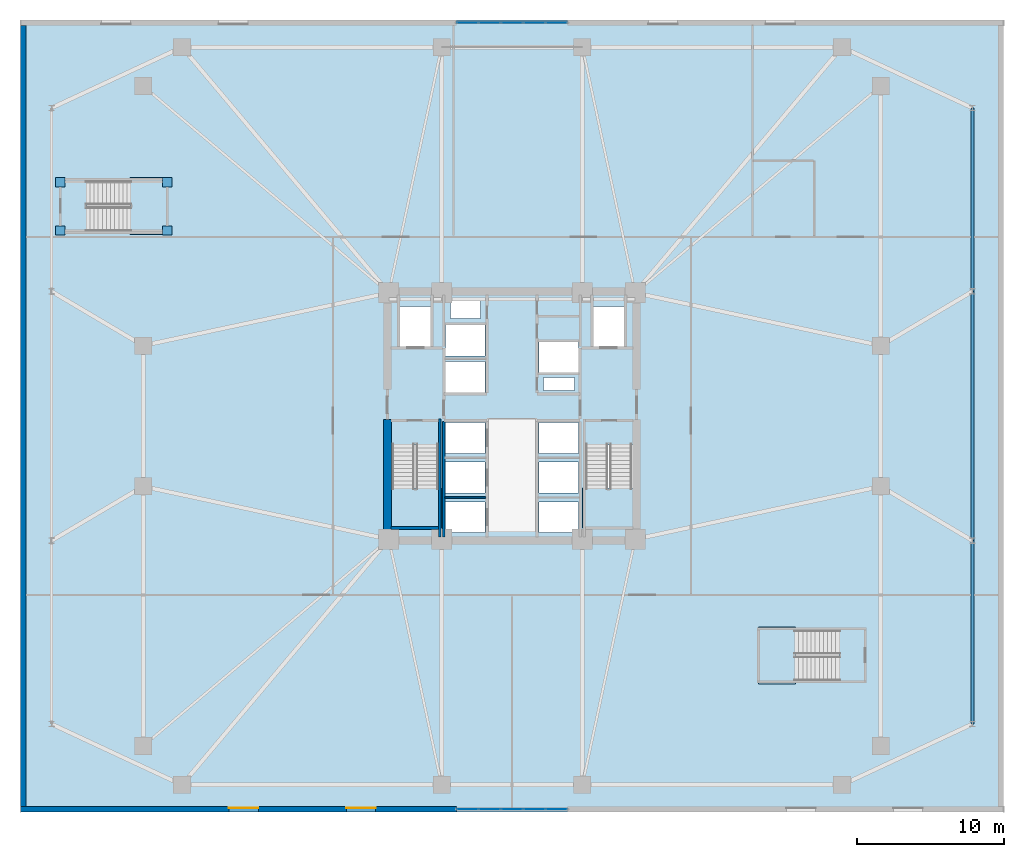
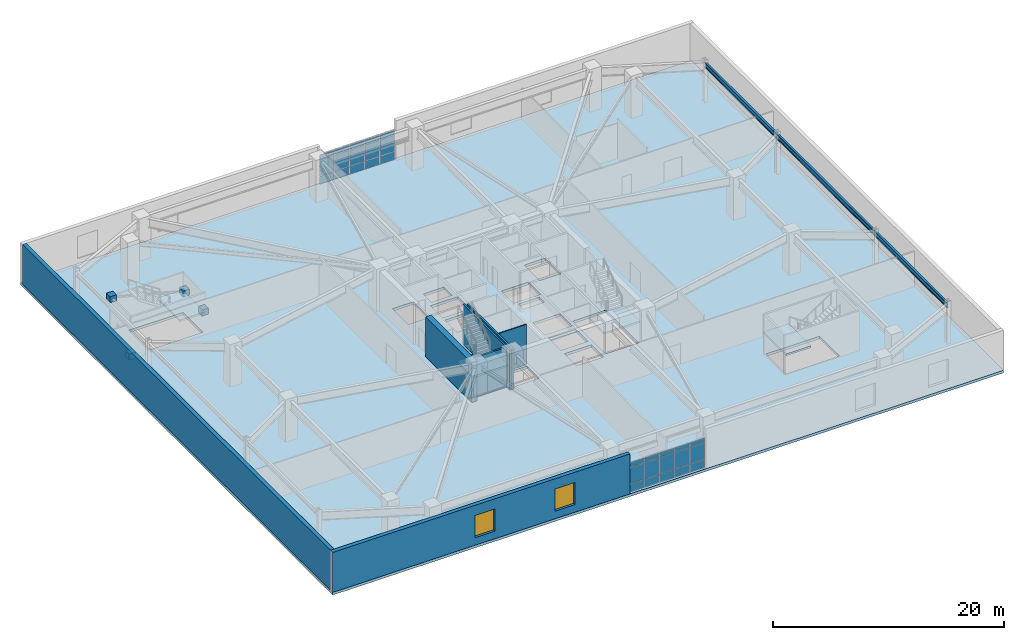
# One storey, part 10 of 21: 34 plates, 7 walls, 5 slabs, 3 beams, 2 windows, 2 openings, 6 elements without a shape of their own.
"""IFC4 building model written with IfcOpenShell, lengths in metres."""

from ifc_helpers import new_model, si_unit, direction, frame, frame_2d, origin, origin_2d, place, context, subcontext, project, spatial, polyline, rectangle, i_section, outline, extrude, material, layer, layer_set, material_profile, profile_set, type_object, element, fill, aggregate, save


model = new_model("IFC4")

# Units and contexts
model_context = context("Model", 3, precision=1e-05, world=origin(), true_north=direction((0.0, 1.0)))
body_context = subcontext(model_context, "Body", "Model", "MODEL_VIEW")
ifc_project = project(units=[si_unit("LENGTHUNIT", "METRE"), si_unit("AREAUNIT", "SQUARE_METRE"), si_unit("VOLUMEUNIT", "CUBIC_METRE"), si_unit("PLANEANGLEUNIT", "RADIAN"), si_unit("MASSUNIT", "GRAM", prefix="KILO")], contexts=[model_context])

# Site, building, storey
site_placement = place(None, origin())
site = spatial("IfcSite", under=ifc_project, at=site_placement, CompositionType="ELEMENT")
building_placement = place(site_placement, origin())
building = spatial("IfcBuilding", under=site, at=building_placement, Name="Cairnveth Concourse Tower", CompositionType="ELEMENT")
storey_placement = place(building_placement, frame((0.0, 0.0, 10.0)))
storey = spatial("IfcBuildingStorey", under=building, at=storey_placement, Name="L02", CompositionType="ELEMENT", Elevation=10.0)

# Beams
ifc_material_1 = material(Name="Steel Grade 350", Category="steel")
ifc_material_profile = material_profile(ifc_material_1, i_section(OverallWidth=0.208984375, OverallDepth=0.532958984375, WebThickness=0.01025390625, FlangeThickness=0.015625, FilletRadius=0.013916015625, at=origin_2d()), Name="530UB92.4")
ifc_profile_set = profile_set([ifc_material_profile], Name="Steel Grade 350")
beam_type = type_object("IfcBeamType", Name="PODIUM EDGE SPANDREL 530UB92.4", PredefinedType="SPANDREL", material=ifc_profile_set)
beam_1_placement = place(storey_placement, frame((83.39990234375, 18.0, 3.95361328125), z_axis=(0.0, 1.0, 0.0), x_axis=(-1.0, 0.0, 0.0)))
element("IfcBeam", 1, at=beam_1_placement, inside=storey, type_object=beam_type, Name="Beam PSP-E1 L02", PredefinedType="SPANDREL", context=body_context, shape_type="SweptSolid", body=[
    extrude(i_section(OverallWidth=0.208984375, OverallDepth=0.532958984375, WebThickness=0.01025390625, FlangeThickness=0.015625, FilletRadius=0.013916015625, at=origin_2d()), origin(), (0.0, 0.0, 1.0), 12.5),
])
beam_2_placement = place(storey_placement, frame((83.39990234375, 30.5, 3.95361328125), z_axis=(0.0, 1.0, 0.0), x_axis=(-1.0, 0.0, 0.0)))
element("IfcBeam", 2, at=beam_2_placement, inside=storey, type_object=beam_type, Name="Beam PSP-E2 L02", PredefinedType="SPANDREL", context=body_context, shape_type="SweptSolid", body=[
    extrude(i_section(OverallWidth=0.208984375, OverallDepth=0.532958984375, WebThickness=0.01025390625, FlangeThickness=0.015625, FilletRadius=0.013916015625, at=origin_2d()), origin(), (0.0, 0.0, 1.0), 17.0),
])
beam_3_placement = place(storey_placement, frame((83.39990234375, 47.5, 3.95361328125), z_axis=(0.0, 1.0, 0.0), x_axis=(-1.0, 0.0, 0.0)))
element("IfcBeam", 3, at=beam_3_placement, inside=storey, type_object=beam_type, Name="Beam PSP-E3 L02", PredefinedType="SPANDREL", context=body_context, shape_type="SweptSolid", body=[
    extrude(i_section(OverallWidth=0.208984375, OverallDepth=0.532958984375, WebThickness=0.01025390625, FlangeThickness=0.015625, FilletRadius=0.013916015625, at=origin_2d()), origin(), (0.0, 0.0, 1.0), 12.5),
])

# Slab
ifc_material_2 = material(Name="Concrete N50 (50 MPa)", Category="concrete")
ifc_layer_1 = layer(ifc_material_2, 0.280029296875)
ifc_layer_set_1 = layer_set([ifc_layer_1], Name="Concrete N50 (50 MPa)")
slab_type_1 = type_object("IfcSlabType", Name="BASEMENT SUSPENDED SLAB 280", PredefinedType="FLOOR", material=ifc_layer_set_1)
slab_1_placement = place(storey_placement, frame((0.0, 0.0, -0.280029296875)))
element("IfcSlab", 4, at=slab_1_placement, inside=storey, type_object=slab_type_1, Name="Podium Floor Slab L02", PredefinedType="FLOOR", context=body_context, shape_type="SweptSolid", body=[
    extrude(outline(polyline([(18.5, 12.0), (85.5, 12.0), (85.5, 66.0), (18.5, 66.0), (18.5, 12.0)]), holes=[polyline([(43.760009765625, 31.360107421875), (47.06005859375, 31.360107421875), (47.06005859375, 37.0400390625), (43.760009765625, 37.0400390625), (43.760009765625, 31.360107421875)]), polyline([(56.93994140625, 31.360107421875), (60.239990234375, 31.360107421875), (60.239990234375, 37.0400390625), (56.93994140625, 37.0400390625), (56.93994140625, 31.360107421875)]), polyline([(23.010009765625, 51.60009765625), (28.39990234375, 51.60009765625), (28.39990234375, 55.0400390625), (23.010009765625, 55.0400390625), (23.010009765625, 51.60009765625)]), polyline([(74.2900390625, 24.39990234375), (68.89990234375, 24.39990234375), (68.89990234375, 20.9599609375), (74.2900390625, 20.9599609375), (74.2900390625, 24.39990234375)]), polyline([(44.3701171875, 43.75), (46.469970703125, 43.75), (46.469970703125, 46.449951171875), (44.3701171875, 46.449951171875), (44.3701171875, 43.75)]), polyline([(57.530029296875, 43.75), (59.6298828125, 43.75), (59.6298828125, 46.449951171875), (57.530029296875, 46.449951171875), (57.530029296875, 43.75)]), polyline([(47.449951171875, 31.050048828125), (50.14990234375, 31.050048828125), (50.14990234375, 33.14990234375), (47.449951171875, 33.14990234375), (47.449951171875, 31.050048828125)]), polyline([(47.449951171875, 33.75), (50.14990234375, 33.75), (50.14990234375, 35.85009765625), (47.449951171875, 35.85009765625), (47.449951171875, 33.75)]), polyline([(47.449951171875, 36.449951171875), (50.14990234375, 36.449951171875), (50.14990234375, 38.550048828125), (47.449951171875, 38.550048828125), (47.449951171875, 36.449951171875)]), polyline([(53.85009765625, 31.050048828125), (56.550048828125, 31.050048828125), (56.550048828125, 33.14990234375), (53.85009765625, 33.14990234375), (53.85009765625, 31.050048828125)]), polyline([(53.85009765625, 33.75), (56.550048828125, 33.75), (56.550048828125, 35.85009765625), (53.85009765625, 35.85009765625), (53.85009765625, 33.75)]), polyline([(53.85009765625, 36.449951171875), (56.550048828125, 36.449951171875), (56.550048828125, 38.550048828125), (53.85009765625, 38.550048828125), (53.85009765625, 36.449951171875)]), polyline([(47.449951171875, 40.60009765625), (50.14990234375, 40.60009765625), (50.14990234375, 42.699951171875), (47.449951171875, 42.699951171875), (47.449951171875, 40.60009765625)]), polyline([(47.449951171875, 43.10009765625), (50.14990234375, 43.10009765625), (50.14990234375, 45.199951171875), (47.449951171875, 45.199951171875), (47.449951171875, 43.10009765625)]), polyline([(53.85009765625, 41.949951171875), (56.550048828125, 41.949951171875), (56.550048828125, 44.050048828125), (53.85009765625, 44.050048828125), (53.85009765625, 41.949951171875)]), polyline([(47.800048828125, 45.64990234375), (49.85009765625, 45.64990234375), (49.85009765625, 47.050048828125), (47.800048828125, 47.050048828125), (47.800048828125, 45.64990234375)]), polyline([(54.14990234375, 40.75), (56.25, 40.75), (56.25, 41.6201171875), (54.14990234375, 41.6201171875), (54.14990234375, 40.75)])]), origin(), (0.0, 0.0, 1.0), 0.280029296875),
])

# Curtain wall, plates
ifc_material_3 = material(Name="Architectural Bronze Anodised Aluminium 6063-T6", Category="aluminium")
ifc_layer_2 = layer(ifc_material_3, 0.340087890625)
ifc_layer_set_2 = layer_set([ifc_layer_2], Name="Architectural Bronze Anodised Aluminium 6063-T6")
curtain_wall_type = type_object("IfcCurtainWallType", Name="BALLROOM FOYER UNITISED CURTAIN WALL", PredefinedType="USERDEFINED", material=ifc_layer_set_2)
curtain_wall_1_placement = place(storey_placement, origin())
curtain_wall_1 = element("IfcCurtainWall", 5, at=curtain_wall_1_placement, inside=storey, type_object=curtain_wall_type, Name="Curtain Wall CW-L02-N1", ObjectType="UNITISED FACADE", PredefinedType="USERDEFINED")
ifc_material_4 = material(Name="Double Glazed Low-E Clear Glass", Category="glass")
ifc_layer_3 = layer(ifc_material_4, 0.028076171875)
ifc_layer_set_3 = layer_set([ifc_layer_3], Name="Double Glazed Low-E Clear Glass")
plate_type_1 = type_object("IfcPlateType", Name="DOUBLE GLAZED LOW-E CURTAIN PANEL 28", PredefinedType="CURTAIN_PANEL", material=ifc_layer_set_3)
plate_1_placement = place(storey_placement, frame((48.96435546875, 65.81005859375, 0.06494140625), z_axis=(0.0, 0.0, 1.0), x_axis=(1.0, 0.0, 0.0)))
plate_1 = element("IfcPlate", 6, at=plate_1_placement, type_object=plate_type_1, Name="CWS3 panel 1.1", PredefinedType="CURTAIN_PANEL", context=body_context, shape_type="SweptSolid", body=[
    extrude(rectangle(XDim=1.428466796875, YDim=0.028076171875, at=origin_2d()), origin(), (0.0, 0.0, 1.0), 0.802490234375),
])
plate_2_placement = place(storey_placement, frame((48.96435546875, 65.81005859375, 0.9326171875), z_axis=(0.0, 0.0, 1.0), x_axis=(1.0, 0.0, 0.0)))
plate_2 = element("IfcPlate", 7, at=plate_2_placement, type_object=plate_type_1, Name="CWS3 panel 1.2", PredefinedType="CURTAIN_PANEL", context=body_context, shape_type="SweptSolid", body=[
    extrude(rectangle(XDim=1.428466796875, YDim=0.028076171875, at=origin_2d()), origin(), (0.0, 0.0, 1.0), 1.680908203125),
])
plate_3_placement = place(storey_placement, frame((48.96435546875, 65.81005859375, 2.6787109375), z_axis=(0.0, 0.0, 1.0), x_axis=(1.0, 0.0, 0.0)))
plate_3 = element("IfcPlate", 8, at=plate_3_placement, type_object=plate_type_1, Name="CWS3 panel 1.3", PredefinedType="CURTAIN_PANEL", context=body_context, shape_type="SweptSolid", body=[
    extrude(rectangle(XDim=1.428466796875, YDim=0.028076171875, at=origin_2d()), origin(), (0.0, 0.0, 1.0), 0.452392578125),
])
plate_4_placement = place(storey_placement, frame((50.47412109375, 65.81005859375, 0.06494140625), z_axis=(0.0, 0.0, 1.0), x_axis=(1.0, 0.0, 0.0)))
plate_4 = element("IfcPlate", 9, at=plate_4_placement, type_object=plate_type_1, Name="CWS3 panel 2.1", PredefinedType="CURTAIN_PANEL", context=body_context, shape_type="SweptSolid", body=[
    extrude(rectangle(XDim=1.4609375, YDim=0.028076171875, at=origin_2d()), origin(), (0.0, 0.0, 1.0), 0.802490234375),
])
plate_5_placement = place(storey_placement, frame((50.47412109375, 65.81005859375, 0.9326171875), z_axis=(0.0, 0.0, 1.0), x_axis=(1.0, 0.0, 0.0)))
plate_5 = element("IfcPlate", 10, at=plate_5_placement, type_object=plate_type_1, Name="CWS3 panel 2.2", PredefinedType="CURTAIN_PANEL", context=body_context, shape_type="SweptSolid", body=[
    extrude(rectangle(XDim=1.4609375, YDim=0.028076171875, at=origin_2d()), origin(), (0.0, 0.0, 1.0), 1.680908203125),
])
plate_6_placement = place(storey_placement, frame((50.47412109375, 65.81005859375, 2.6787109375), z_axis=(0.0, 0.0, 1.0), x_axis=(1.0, 0.0, 0.0)))
plate_6 = element("IfcPlate", 11, at=plate_6_placement, type_object=plate_type_1, Name="CWS3 panel 2.3", PredefinedType="CURTAIN_PANEL", context=body_context, shape_type="SweptSolid", body=[
    extrude(rectangle(XDim=1.4609375, YDim=0.028076171875, at=origin_2d()), origin(), (0.0, 0.0, 1.0), 0.452392578125),
])
plate_7_placement = place(storey_placement, frame((52.0, 65.81005859375, 0.06494140625), z_axis=(0.0, 0.0, 1.0), x_axis=(1.0, 0.0, 0.0)))
plate_7 = element("IfcPlate", 12, at=plate_7_placement, type_object=plate_type_1, Name="CWS3 panel 3.1", PredefinedType="CURTAIN_PANEL", context=body_context, shape_type="SweptSolid", body=[
    extrude(rectangle(XDim=1.4609375, YDim=0.028076171875, at=origin_2d()), origin(), (0.0, 0.0, 1.0), 0.802490234375),
])
plate_8_placement = place(storey_placement, frame((52.0, 65.81005859375, 0.9326171875), z_axis=(0.0, 0.0, 1.0), x_axis=(1.0, 0.0, 0.0)))
plate_8 = element("IfcPlate", 13, at=plate_8_placement, type_object=plate_type_1, Name="CWS3 panel 3.2", PredefinedType="CURTAIN_PANEL", context=body_context, shape_type="SweptSolid", body=[
    extrude(rectangle(XDim=1.4609375, YDim=0.028076171875, at=origin_2d()), origin(), (0.0, 0.0, 1.0), 1.680908203125),
])
plate_9_placement = place(storey_placement, frame((52.0, 65.81005859375, 2.6787109375), z_axis=(0.0, 0.0, 1.0), x_axis=(1.0, 0.0, 0.0)))
plate_9 = element("IfcPlate", 14, at=plate_9_placement, type_object=plate_type_1, Name="CWS3 panel 3.3", PredefinedType="CURTAIN_PANEL", context=body_context, shape_type="SweptSolid", body=[
    extrude(rectangle(XDim=1.4609375, YDim=0.028076171875, at=origin_2d()), origin(), (0.0, 0.0, 1.0), 0.452392578125),
])
plate_10_placement = place(storey_placement, frame((53.52587890625, 65.81005859375, 0.06494140625), z_axis=(0.0, 0.0, 1.0), x_axis=(1.0, 0.0, 0.0)))
plate_10 = element("IfcPlate", 15, at=plate_10_placement, type_object=plate_type_1, Name="CWS3 panel 4.1", PredefinedType="CURTAIN_PANEL", context=body_context, shape_type="SweptSolid", body=[
    extrude(rectangle(XDim=1.4609375, YDim=0.028076171875, at=origin_2d()), origin(), (0.0, 0.0, 1.0), 0.802490234375),
])
plate_11_placement = place(storey_placement, frame((53.52587890625, 65.81005859375, 0.9326171875), z_axis=(0.0, 0.0, 1.0), x_axis=(1.0, 0.0, 0.0)))
plate_11 = element("IfcPlate", 16, at=plate_11_placement, type_object=plate_type_1, Name="CWS3 panel 4.2", PredefinedType="CURTAIN_PANEL", context=body_context, shape_type="SweptSolid", body=[
    extrude(rectangle(XDim=1.4609375, YDim=0.028076171875, at=origin_2d()), origin(), (0.0, 0.0, 1.0), 1.680908203125),
])
plate_12_placement = place(storey_placement, frame((53.52587890625, 65.81005859375, 2.6787109375), z_axis=(0.0, 0.0, 1.0), x_axis=(1.0, 0.0, 0.0)))
plate_12 = element("IfcPlate", 17, at=plate_12_placement, type_object=plate_type_1, Name="CWS3 panel 4.3", PredefinedType="CURTAIN_PANEL", context=body_context, shape_type="SweptSolid", body=[
    extrude(rectangle(XDim=1.4609375, YDim=0.028076171875, at=origin_2d()), origin(), (0.0, 0.0, 1.0), 0.452392578125),
])
plate_13_placement = place(storey_placement, frame((55.03564453125, 65.81005859375, 0.06494140625), z_axis=(0.0, 0.0, 1.0), x_axis=(1.0, 0.0, 0.0)))
plate_13 = element("IfcPlate", 18, at=plate_13_placement, type_object=plate_type_1, Name="CWS3 panel 5.1", PredefinedType="CURTAIN_PANEL", context=body_context, shape_type="SweptSolid", body=[
    extrude(rectangle(XDim=1.428466796875, YDim=0.028076171875, at=origin_2d()), origin(), (0.0, 0.0, 1.0), 0.802490234375),
])
plate_14_placement = place(storey_placement, frame((55.03564453125, 65.81005859375, 0.9326171875), z_axis=(0.0, 0.0, 1.0), x_axis=(1.0, 0.0, 0.0)))
plate_14 = element("IfcPlate", 19, at=plate_14_placement, type_object=plate_type_1, Name="CWS3 panel 5.2", PredefinedType="CURTAIN_PANEL", context=body_context, shape_type="SweptSolid", body=[
    extrude(rectangle(XDim=1.428466796875, YDim=0.028076171875, at=origin_2d()), origin(), (0.0, 0.0, 1.0), 1.680908203125),
])
plate_15_placement = place(storey_placement, frame((55.03564453125, 65.81005859375, 2.6787109375), z_axis=(0.0, 0.0, 1.0), x_axis=(1.0, 0.0, 0.0)))
plate_15 = element("IfcPlate", 20, at=plate_15_placement, type_object=plate_type_1, Name="CWS3 panel 5.3", PredefinedType="CURTAIN_PANEL", context=body_context, shape_type="SweptSolid", body=[
    extrude(rectangle(XDim=1.428466796875, YDim=0.028076171875, at=origin_2d()), origin(), (0.0, 0.0, 1.0), 0.452392578125),
])
aggregate(curtain_wall_1, [plate_1, plate_2, plate_3, plate_4, plate_5, plate_6, plate_7, plate_8, plate_9, plate_10, plate_11, plate_12, plate_13, plate_14, plate_15])

curtain_wall_2_placement = place(storey_placement, origin())
curtain_wall_2 = element("IfcCurtainWall", 21, at=curtain_wall_2_placement, inside=storey, type_object=curtain_wall_type, Name="Curtain Wall CW-L02-S1", ObjectType="UNITISED FACADE", PredefinedType="USERDEFINED")
plate_16_placement = place(storey_placement, frame((55.03564453125, 12.18994140625, 0.06494140625), z_axis=(0.0, 0.0, 1.0), x_axis=(-1.0, 0.0, 0.0)))
plate_16 = element("IfcPlate", 22, at=plate_16_placement, type_object=plate_type_1, Name="CWS3 panel 1.1", PredefinedType="CURTAIN_PANEL", context=body_context, shape_type="SweptSolid", body=[
    extrude(rectangle(XDim=1.428466796875, YDim=0.028076171875, at=origin_2d()), origin(), (0.0, 0.0, 1.0), 0.802490234375),
])
plate_17_placement = place(storey_placement, frame((55.03564453125, 12.18994140625, 0.9326171875), z_axis=(0.0, 0.0, 1.0), x_axis=(-1.0, 0.0, 0.0)))
plate_17 = element("IfcPlate", 23, at=plate_17_placement, type_object=plate_type_1, Name="CWS3 panel 1.2", PredefinedType="CURTAIN_PANEL", context=body_context, shape_type="SweptSolid", body=[
    extrude(rectangle(XDim=1.428466796875, YDim=0.028076171875, at=origin_2d()), origin(), (0.0, 0.0, 1.0), 1.680908203125),
])
plate_18_placement = place(storey_placement, frame((55.03564453125, 12.18994140625, 2.6787109375), z_axis=(0.0, 0.0, 1.0), x_axis=(-1.0, 0.0, 0.0)))
plate_18 = element("IfcPlate", 24, at=plate_18_placement, type_object=plate_type_1, Name="CWS3 panel 1.3", PredefinedType="CURTAIN_PANEL", context=body_context, shape_type="SweptSolid", body=[
    extrude(rectangle(XDim=1.428466796875, YDim=0.028076171875, at=origin_2d()), origin(), (0.0, 0.0, 1.0), 0.452392578125),
])
plate_19_placement = place(storey_placement, frame((53.52587890625, 12.18994140625, 0.06494140625), z_axis=(0.0, 0.0, 1.0), x_axis=(-1.0, 0.0, 0.0)))
plate_19 = element("IfcPlate", 25, at=plate_19_placement, type_object=plate_type_1, Name="CWS3 panel 2.1", PredefinedType="CURTAIN_PANEL", context=body_context, shape_type="SweptSolid", body=[
    extrude(rectangle(XDim=1.4609375, YDim=0.028076171875, at=origin_2d()), origin(), (0.0, 0.0, 1.0), 0.802490234375),
])
plate_20_placement = place(storey_placement, frame((53.52587890625, 12.18994140625, 0.9326171875), z_axis=(0.0, 0.0, 1.0), x_axis=(-1.0, 0.0, 0.0)))
plate_20 = element("IfcPlate", 26, at=plate_20_placement, type_object=plate_type_1, Name="CWS3 panel 2.2", PredefinedType="CURTAIN_PANEL", context=body_context, shape_type="SweptSolid", body=[
    extrude(rectangle(XDim=1.4609375, YDim=0.028076171875, at=origin_2d()), origin(), (0.0, 0.0, 1.0), 1.680908203125),
])
plate_21_placement = place(storey_placement, frame((53.52587890625, 12.18994140625, 2.6787109375), z_axis=(0.0, 0.0, 1.0), x_axis=(-1.0, 0.0, 0.0)))
plate_21 = element("IfcPlate", 27, at=plate_21_placement, type_object=plate_type_1, Name="CWS3 panel 2.3", PredefinedType="CURTAIN_PANEL", context=body_context, shape_type="SweptSolid", body=[
    extrude(rectangle(XDim=1.4609375, YDim=0.028076171875, at=origin_2d()), origin(), (0.0, 0.0, 1.0), 0.452392578125),
])
plate_22_placement = place(storey_placement, frame((52.0, 12.18994140625, 0.06494140625), z_axis=(0.0, 0.0, 1.0), x_axis=(-1.0, 0.0, 0.0)))
plate_22 = element("IfcPlate", 28, at=plate_22_placement, type_object=plate_type_1, Name="CWS3 panel 3.1", PredefinedType="CURTAIN_PANEL", context=body_context, shape_type="SweptSolid", body=[
    extrude(rectangle(XDim=1.4609375, YDim=0.028076171875, at=origin_2d()), origin(), (0.0, 0.0, 1.0), 0.802490234375),
])
plate_23_placement = place(storey_placement, frame((52.0, 12.18994140625, 0.9326171875), z_axis=(0.0, 0.0, 1.0), x_axis=(-1.0, 0.0, 0.0)))
plate_23 = element("IfcPlate", 29, at=plate_23_placement, type_object=plate_type_1, Name="CWS3 panel 3.2", PredefinedType="CURTAIN_PANEL", context=body_context, shape_type="SweptSolid", body=[
    extrude(rectangle(XDim=1.4609375, YDim=0.028076171875, at=origin_2d()), origin(), (0.0, 0.0, 1.0), 1.680908203125),
])
plate_24_placement = place(storey_placement, frame((52.0, 12.18994140625, 2.6787109375), z_axis=(0.0, 0.0, 1.0), x_axis=(-1.0, 0.0, 0.0)))
plate_24 = element("IfcPlate", 30, at=plate_24_placement, type_object=plate_type_1, Name="CWS3 panel 3.3", PredefinedType="CURTAIN_PANEL", context=body_context, shape_type="SweptSolid", body=[
    extrude(rectangle(XDim=1.4609375, YDim=0.028076171875, at=origin_2d()), origin(), (0.0, 0.0, 1.0), 0.452392578125),
])
plate_25_placement = place(storey_placement, frame((50.47412109375, 12.18994140625, 0.06494140625), z_axis=(0.0, 0.0, 1.0), x_axis=(-1.0, 0.0, 0.0)))
plate_25 = element("IfcPlate", 31, at=plate_25_placement, type_object=plate_type_1, Name="CWS3 panel 4.1", PredefinedType="CURTAIN_PANEL", context=body_context, shape_type="SweptSolid", body=[
    extrude(rectangle(XDim=1.4609375, YDim=0.028076171875, at=origin_2d()), origin(), (0.0, 0.0, 1.0), 0.802490234375),
])
plate_26_placement = place(storey_placement, frame((50.47412109375, 12.18994140625, 0.9326171875), z_axis=(0.0, 0.0, 1.0), x_axis=(-1.0, 0.0, 0.0)))
plate_26 = element("IfcPlate", 32, at=plate_26_placement, type_object=plate_type_1, Name="CWS3 panel 4.2", PredefinedType="CURTAIN_PANEL", context=body_context, shape_type="SweptSolid", body=[
    extrude(rectangle(XDim=1.4609375, YDim=0.028076171875, at=origin_2d()), origin(), (0.0, 0.0, 1.0), 1.680908203125),
])
plate_27_placement = place(storey_placement, frame((50.47412109375, 12.18994140625, 2.6787109375), z_axis=(0.0, 0.0, 1.0), x_axis=(-1.0, 0.0, 0.0)))
plate_27 = element("IfcPlate", 33, at=plate_27_placement, type_object=plate_type_1, Name="CWS3 panel 4.3", PredefinedType="CURTAIN_PANEL", context=body_context, shape_type="SweptSolid", body=[
    extrude(rectangle(XDim=1.4609375, YDim=0.028076171875, at=origin_2d()), origin(), (0.0, 0.0, 1.0), 0.452392578125),
])
plate_28_placement = place(storey_placement, frame((48.96435546875, 12.18994140625, 0.06494140625), z_axis=(0.0, 0.0, 1.0), x_axis=(-1.0, 0.0, 0.0)))
plate_28 = element("IfcPlate", 34, at=plate_28_placement, type_object=plate_type_1, Name="CWS3 panel 5.1", PredefinedType="CURTAIN_PANEL", context=body_context, shape_type="SweptSolid", body=[
    extrude(rectangle(XDim=1.428466796875, YDim=0.028076171875, at=origin_2d()), origin(), (0.0, 0.0, 1.0), 0.802490234375),
])
plate_29_placement = place(storey_placement, frame((48.96435546875, 12.18994140625, 0.9326171875), z_axis=(0.0, 0.0, 1.0), x_axis=(-1.0, 0.0, 0.0)))
plate_29 = element("IfcPlate", 35, at=plate_29_placement, type_object=plate_type_1, Name="CWS3 panel 5.2", PredefinedType="CURTAIN_PANEL", context=body_context, shape_type="SweptSolid", body=[
    extrude(rectangle(XDim=1.428466796875, YDim=0.028076171875, at=origin_2d()), origin(), (0.0, 0.0, 1.0), 1.680908203125),
])
plate_30_placement = place(storey_placement, frame((48.96435546875, 12.18994140625, 2.6787109375), z_axis=(0.0, 0.0, 1.0), x_axis=(-1.0, 0.0, 0.0)))
plate_30 = element("IfcPlate", 36, at=plate_30_placement, type_object=plate_type_1, Name="CWS3 panel 5.3", PredefinedType="CURTAIN_PANEL", context=body_context, shape_type="SweptSolid", body=[
    extrude(rectangle(XDim=1.428466796875, YDim=0.028076171875, at=origin_2d()), origin(), (0.0, 0.0, 1.0), 0.452392578125),
])
aggregate(curtain_wall_2, [plate_16, plate_17, plate_18, plate_19, plate_20, plate_21, plate_22, plate_23, plate_24, plate_25, plate_26, plate_27, plate_28, plate_29, plate_30])

# Plates
ifc_layer_4 = layer(ifc_material_1, 0.02587890625)
ifc_layer_set_4 = layer_set([ifc_layer_4], Name="Steel Grade 350")
plate_type_2 = type_object("IfcPlateType", Name="INTERNAL TRUSS END CAP PLATE 26", PredefinedType="SHEET", material=ifc_layer_set_4)
for number, where, z_axis, x_axis, name in (
    (37, (21.2099609375, 51.64990234375, -0.169921875), (0.0, 0.0, 1.0), (1.0, 0.0, 0.0), "Structural Node Plate 1605 L02"),
    (38, (28.489990234375, 51.64990234375, 1.93017578125), (0.0, 0.0, 1.0), (1.0, 0.0, 0.0), "Structural Node Plate 1606 L02"),
    (39, (28.489990234375, 54.949951171875, 1.93017578125), (0.0, 0.0, 1.0), (1.0, 0.0, 0.0), "Structural Node Plate 1607 L02"),
    (40, (21.2099609375, 54.949951171875, 3.8798828125), (0.0, 0.0, 1.0), (1.0, 0.0, 0.0), "Structural Node Plate 1608 L02"),
):
    element("IfcPlate", number, at=place(storey_placement, frame(where, z_axis=z_axis, x_axis=x_axis)), inside=storey, type_object=plate_type_2, Name=name, PredefinedType="SHEET", context=body_context, shape_type="SweptSolid", body=[
        extrude(rectangle(XDim=0.639892578125, YDim=0.639892578125, at=origin_2d()), origin(), (0.0, 0.0, 1.0), 0.639892578125),
    ])

# Stair, slab
ifc_material_5 = material(Name="Precast concrete N50 (50 MPa)", Category="concrete")
stair_type_1 = type_object("IfcStairType", Name="CORE DOG-LEG FIRE STAIR 1500", PredefinedType="HALF_TURN_STAIR", material=ifc_material_5)
stair_1_placement = place(storey_placement, origin())
stair_1 = element("IfcStair", 41, at=stair_1_placement, inside=storey, type_object=stair_type_1, Name="L02 Fire-Isolated Stair ST-1", PredefinedType="HALF_TURN_STAIR")
ifc_layer_5 = layer(ifc_material_2, 0.199951171875)
ifc_layer_set_5 = layer_set([ifc_layer_5], Name="Concrete N50 (50 MPa)")
slab_type_2 = type_object("IfcSlabType", Name="STAIR HALF LANDING SLAB 200", PredefinedType="LANDING", material=ifc_layer_set_5)
slab_2_placement = place(storey_placement, frame((0.0, 0.0, 2.050048828125)))
slab_2 = element("IfcSlab", 42, at=slab_2_placement, type_object=slab_type_2, Name="ST-1 landing 1", PredefinedType="LANDING", context=body_context, shape_type="SweptSolid", body=[
    extrude(outline(polyline([(43.6201171875, 34.080078125), (43.6201171875, 31.3701171875), (47.199951171875, 31.3701171875), (47.199951171875, 34.080078125), (43.6201171875, 34.080078125)])), origin(), (0.0, 0.0, 1.0), 0.199951171875),
])
aggregate(stair_1, [slab_2])

stair_2_placement = place(storey_placement, origin())
stair_2 = element("IfcStair", 43, at=stair_2_placement, inside=storey, type_object=stair_type_1, Name="L02 Fire-Isolated Stair ST-2", PredefinedType="HALF_TURN_STAIR")
slab_3_placement = place(storey_placement, frame((0.0, 0.0, 2.050048828125)))
slab_3 = element("IfcSlab", 44, at=slab_3_placement, type_object=slab_type_2, Name="ST-2 landing 1", PredefinedType="LANDING", context=body_context, shape_type="SweptSolid", body=[
    extrude(outline(polyline([(56.800048828125, 34.080078125), (56.800048828125, 31.3701171875), (60.3798828125, 31.3701171875), (60.3798828125, 34.080078125), (56.800048828125, 34.080078125)])), origin(), (0.0, 0.0, 1.0), 0.199951171875),
])
aggregate(stair_2, [slab_3])

stair_type_2 = type_object("IfcStairType", Name="PODIUM ESCAPE DOG-LEG STAIR 1650", PredefinedType="HALF_TURN_STAIR", material=ifc_material_5)
stair_3_placement = place(storey_placement, origin())
stair_3 = element("IfcStair", 45, at=stair_3_placement, inside=storey, type_object=stair_type_2, Name="L02 Fire-Isolated Stair ST-P1", PredefinedType="HALF_TURN_STAIR")
slab_4_placement = place(storey_placement, frame((0.0, 0.0, 2.050048828125)))
slab_4 = element("IfcSlab", 46, at=slab_4_placement, type_object=slab_type_2, Name="ST-P1 landing 1", PredefinedType="LANDING", context=body_context, shape_type="SweptSolid", body=[
    extrude(outline(polyline([(25.969970703125, 51.3798828125), (28.47998046875, 51.3798828125), (28.47998046875, 55.260009765625), (25.969970703125, 55.260009765625), (25.969970703125, 51.3798828125)])), origin(), (0.0, 0.0, 1.0), 0.199951171875),
])
aggregate(stair_3, [slab_4])

stair_4_placement = place(storey_placement, origin())
stair_4 = element("IfcStair", 47, at=stair_4_placement, inside=storey, type_object=stair_type_2, Name="L02 Fire-Isolated Stair ST-P2", PredefinedType="HALF_TURN_STAIR")
slab_5_placement = place(storey_placement, frame((0.0, 0.0, 2.050048828125)))
slab_5 = element("IfcSlab", 48, at=slab_5_placement, type_object=slab_type_2, Name="ST-P2 landing 1", PredefinedType="LANDING", context=body_context, shape_type="SweptSolid", body=[
    extrude(outline(polyline([(71.330078125, 24.6201171875), (68.820068359375, 24.6201171875), (68.820068359375, 20.739990234375), (71.330078125, 20.739990234375), (71.330078125, 24.6201171875)])), origin(), (0.0, 0.0, 1.0), 0.199951171875),
])
aggregate(stair_4, [slab_5])

# Walls
ifc_material_6 = material(Name="Concrete N80 (80 MPa)", Category="concrete")
ifc_layer_6 = layer(ifc_material_6, 0.550048828125)
ifc_layer_set_6 = layer_set([ifc_layer_6], Name="Concrete N80 (80 MPa)")
wall_type_1 = type_object("IfcWallType", Name="CORE SHEAR WALL 550", PredefinedType="SHEAR", material=ifc_layer_set_6)
wall_1_placement = place(storey_placement, frame((43.5, 30.764892578125, 0.0), z_axis=(0.0, 0.0, 1.0), x_axis=(0.0, 1.0, 0.0)))
element("IfcWall", 49, at=wall_1_placement, inside=storey, type_object=wall_type_1, Name="Core West Shear Wall S L02", PredefinedType="SHEAR", context=body_context, shape_type="SweptSolid", body=[
    extrude(rectangle(XDim=7.985107421875, YDim=0.550048828125, at=frame_2d((3.99267578125, 0.0))), origin(), (0.0, 0.0, 1.0), 4.219970703125),
])
ifc_layer_7 = layer(ifc_material_2, 0.179931640625)
ifc_layer_set_7 = layer_set([ifc_layer_7], Name="Concrete N50 (50 MPa)")
wall_type_2 = type_object("IfcWallType", Name="FIRE SHAFT WALL 180", PredefinedType="SOLIDWALL", material=ifc_layer_set_7)
wall_2_placement = place(storey_placement, frame((47.35009765625, 30.760009765625, 0.0), z_axis=(0.0, 0.0, 1.0), x_axis=(0.0, 1.0, 0.0)))
element("IfcWall", 50, at=wall_2_placement, inside=storey, type_object=wall_type_2, Name="Interior Wall IW-L02-025", PredefinedType="SOLIDWALL", context=body_context, shape_type="SweptSolid", body=[
    extrude(rectangle(XDim=7.85498046875, YDim=0.179931640625, at=frame_2d((3.927490234375, 0.0))), origin(), (0.0, 0.0, 1.0), 4.219970703125),
])
wall_3_placement = place(storey_placement, frame((43.764892578125, 31.360107421875, 0.0), z_axis=(0.0, 0.0, 1.0), x_axis=(1.0, 0.0, 0.0)))
element("IfcWall", 51, at=wall_3_placement, inside=storey, type_object=wall_type_2, Name="Stair ST-1 Shaft Wall FAR L02", PredefinedType="SOLIDWALL", context=body_context, shape_type="SweptSolid", body=[
    extrude(rectangle(XDim=3.230224609375, YDim=0.179931640625, at=frame_2d((1.615234375, 0.0))), origin(), (0.0, 0.0, 1.0), 4.219970703125),
])
wall_4_placement = place(storey_placement, frame((47.070068359375, 38.780029296875, 0.0), z_axis=(0.0, 0.0, 1.0), x_axis=(0.0, -1.0, 0.0)))
element("IfcWall", 52, at=wall_4_placement, inside=storey, type_object=wall_type_2, Name="Stair ST-1 Shaft Wall RGHT L02", PredefinedType="SOLIDWALL", context=body_context, shape_type="SweptSolid", body=[
    extrude(rectangle(XDim=8.01708984375, YDim=0.179931640625, at=frame_2d((4.008544921875, 0.0))), origin(), (0.0, 0.0, 1.0), 4.219970703125),
])
ifc_material_7 = material(Name="Gypsum Plasterboard Partition", Category="gypsum")
ifc_layer_8 = layer(ifc_material_7, 0.110107421875)
ifc_layer_set_8 = layer_set([ifc_layer_8], Name="Gypsum Plasterboard Partition")
wall_type_3 = type_object("IfcWallType", Name="SHAFT DIVIDER WALL 140", PredefinedType="PARTITIONING", material=ifc_layer_set_8)
wall_5_placement = place(storey_placement, frame((47.425048828125, 33.449951171875, 0.0), z_axis=(0.0, 0.0, 1.0), x_axis=(1.0, 0.0, 0.0)))
element("IfcWall", 53, at=wall_5_placement, inside=storey, type_object=wall_type_3, Name="Interior Wall IW-L02-026", PredefinedType="PARTITIONING", context=body_context, shape_type="SweptSolid", body=[
    extrude(rectangle(XDim=2.7900390625, YDim=0.110107421875, at=frame_2d((1.39501953125, 0.0))), origin(), (0.0, 0.0, 1.0), 4.219970703125),
])

# Wall, openings, windows
ifc_material_8 = material(Name="Hawthorn Red-Ochre Fired Clay Brick Masonry", Category="masonry")
ifc_layer_9 = layer(ifc_material_8, 0.3798828125)
ifc_layer_set_9 = layer_set([ifc_layer_9], Name="Hawthorn Red-Ochre Fired Clay Brick Masonry")
wall_type_4 = type_object("IfcWallType", Name="UPPER PODIUM BRICK WALL 380", PredefinedType="SOLIDWALL", material=ifc_layer_set_9)
wall_6_placement = place(storey_placement, frame((48.199951171875, 12.18994140625, 0.0), z_axis=(0.0, 0.0, 1.0), x_axis=(-1.0, 0.0, 0.0)))
wall_6 = element("IfcWall", 54, at=wall_6_placement, inside=storey, type_object=wall_type_4, Name="Exterior Wall EW-L02-SW", PredefinedType="SOLIDWALL", context=body_context, shape_type="SweptSolid", body=[
    extrude(rectangle(XDim=29.699951171875, YDim=0.3798828125, at=frame_2d((14.85009765625, 0.0))), origin(), (0.0, 0.0, 1.0), 4.219970703125),
])
opening_1_placement = place(wall_6_placement, frame((5.5, 0.0, 0.800048828125)))
opening_1 = element("IfcOpeningElement", 55, at=opening_1_placement, cuts=wall_6, Name="Opening W10", PredefinedType="OPENING", context=body_context, shape_type="SweptSolid", body=[
    extrude(rectangle(XDim=2.0, YDim=2.345947265625, at=frame_2d((1.0, 1.1728515625))), frame((0.0, 0.199951171875, 0.0), z_axis=(0.0, -1.0, 0.0), x_axis=(1.0, 0.0, 0.0)), (0.0, 0.0, 1.0), 0.39990234375),
])
opening_2_placement = place(wall_6_placement, frame((13.5, 0.0, 0.800048828125)))
opening_2 = element("IfcOpeningElement", 56, at=opening_2_placement, cuts=wall_6, Name="Opening W10", PredefinedType="OPENING", context=body_context, shape_type="SweptSolid", body=[
    extrude(rectangle(XDim=2.0, YDim=2.345947265625, at=frame_2d((1.0, 1.1728515625))), frame((0.0, 0.199951171875, 0.0), z_axis=(0.0, -1.0, 0.0), x_axis=(1.0, 0.0, 0.0)), (0.0, 0.0, 1.0), 0.39990234375),
])
window_type = type_object("IfcWindowType", Name="DEEP-SET PODIUM ARCHED WINDOW 2000X2400", PartitioningType="DOUBLE_PANEL_VERTICAL", PredefinedType="WINDOW", material=ifc_material_4)
window_1_placement = place(opening_1_placement, origin())
window_1 = element("IfcWindow", 57, at=window_1_placement, inside=storey, type_object=window_type, Name="WIN-L02-SW-1", OverallHeight=2.345947265625, OverallWidth=2.0, PartitioningType="SINGLE_PANEL", PredefinedType="WINDOW", context=body_context, shape_type="SweptSolid", body=[
    extrude(rectangle(XDim=2.0, YDim=2.345947265625, at=frame_2d((1.0, 1.1728515625))), frame((0.0, -0.050048828125, 0.0), z_axis=(0.0, -1.0, 0.0), x_axis=(1.0, 0.0, 0.0)), (0.0, 0.0, 1.0), 0.06005859375),
])
fill(opening_1, window_1)
window_2_placement = place(opening_2_placement, origin())
window_2 = element("IfcWindow", 58, at=window_2_placement, inside=storey, type_object=window_type, Name="WIN-L02-SW-2", OverallHeight=2.345947265625, OverallWidth=2.0, PartitioningType="SINGLE_PANEL", PredefinedType="WINDOW", context=body_context, shape_type="SweptSolid", body=[
    extrude(rectangle(XDim=2.0, YDim=2.345947265625, at=frame_2d((1.0, 1.1728515625))), frame((0.0, -0.050048828125, 0.0), z_axis=(0.0, -1.0, 0.0), x_axis=(1.0, 0.0, 0.0)), (0.0, 0.0, 1.0), 0.06005859375),
])
fill(opening_2, window_2)

# Wall
wall_7_placement = place(storey_placement, frame((18.68994140625, 12.364990234375, 0.0), z_axis=(0.0, 0.0, 1.0), x_axis=(0.0, 1.0, 0.0)))
element("IfcWall", 59, at=wall_7_placement, inside=storey, type_object=wall_type_4, Name="Exterior Wall EW-L02-W", PredefinedType="SOLIDWALL", context=body_context, shape_type="SweptSolid", body=[
    extrude(rectangle(XDim=53.27001953125, YDim=0.3798828125, at=frame_2d((26.635009765625, 0.0))), origin(), (0.0, 0.0, 1.0), 4.219970703125),
])

save(model, "model.ifc")
